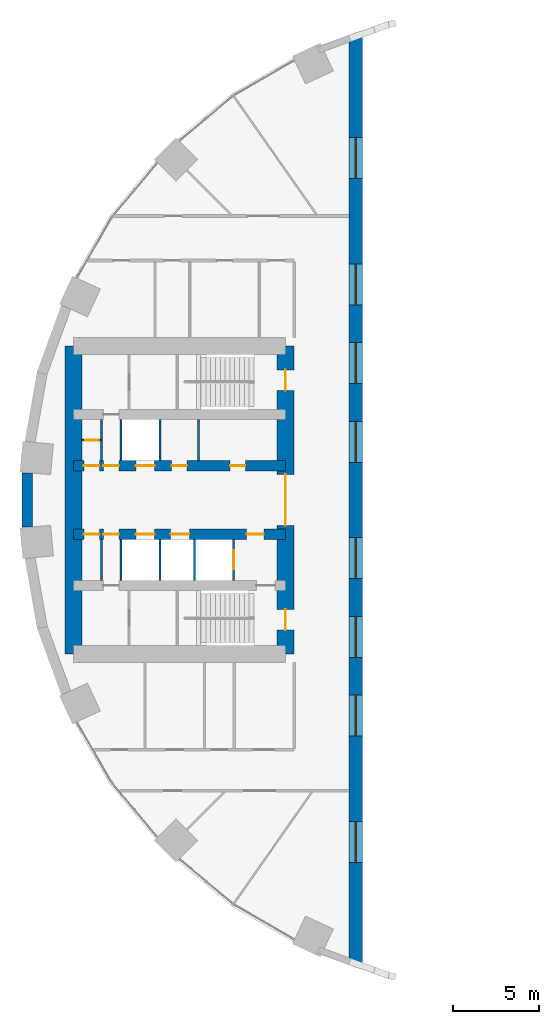
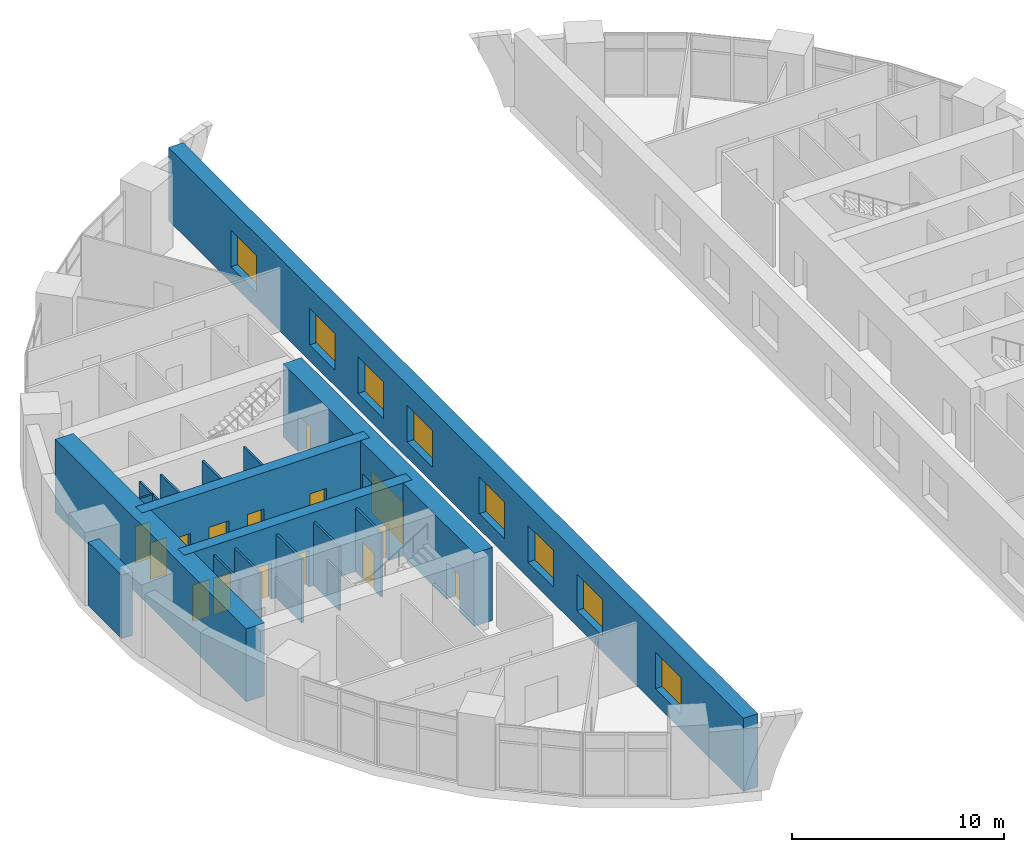
# One storey, part 8 of 13: 16 walls, 15 doors, 8 windows, 23 openings.
"""IFC4 building model written with IfcOpenShell, lengths in metres."""

from ifc_helpers import new_model, si_unit, direction, frame, frame_2d, origin, place, context, subcontext, project, spatial, rectangle, extrude, material, layer, layer_set, type_object, element, fill, save


model = new_model("IFC4")

# Units and contexts
model_context = context("Model", 3, precision=1e-05, world=origin(), true_north=direction((0.0, 1.0)))
body_context = subcontext(model_context, "Body", "Model", "MODEL_VIEW")
ifc_project = project(units=[si_unit("LENGTHUNIT", "METRE"), si_unit("AREAUNIT", "SQUARE_METRE"), si_unit("VOLUMEUNIT", "CUBIC_METRE"), si_unit("PLANEANGLEUNIT", "RADIAN"), si_unit("MASSUNIT", "GRAM", prefix="KILO")], contexts=[model_context])

# Site, building, storey
site_placement = place(None, origin())
site = spatial("IfcSite", under=ifc_project, at=site_placement, CompositionType="ELEMENT")
building_placement = place(site_placement, origin())
building = spatial("IfcBuilding", under=site, at=building_placement, Name="Saqina Gate Tower", CompositionType="ELEMENT")
storey_placement = place(building_placement, frame((0.0, 0.0, 9.199951171875)))
storey = spatial("IfcBuildingStorey", under=building, at=storey_placement, Name="L02", CompositionType="ELEMENT", Elevation=9.199951171875)

# Walls
ifc_material_1 = material(Name="Gypsum board on steel studs", Category="steel")
ifc_layer_1 = layer(ifc_material_1, 0.10009765625)
ifc_layer_set_1 = layer_set([ifc_layer_1], Name="CORE PARTITION")
wall_type_1 = type_object("IfcWallType", Name="CORE PARTITION", PredefinedType="PARTITIONING", material=ifc_layer_set_1)
for number, where, z_axis, x_axis, name in (
    (1, (-18.582763671875, 2.300048828125, 0.0), (0.0, 0.0, 1.0), (0.0, 1.0, 0.0), "L02-CP-W01"),
    (2, (-24.260009765625, 2.300048828125, 0.0), (0.0, 0.0, 1.0), (0.0, 1.0, 0.0), "L02-CP-W04"),
    (3, (-24.260009765625, -4.699951171875, 0.0), (0.0, 0.0, 1.0), (0.0, 1.0, 0.0), "L02-CP-W09"),
):
    element("IfcWall", number, at=place(storey_placement, frame(where, z_axis=z_axis, x_axis=x_axis)), inside=storey, type_object=wall_type_1, Name=name, PredefinedType="PARTITIONING", context=body_context, shape_type="SweptSolid", body=[
        extrude(rectangle(XDim=2.39990234375, YDim=0.10009765625, at=frame_2d((1.199951171875, 0.0))), origin(), (0.0, 0.0, 1.0), 3.650146484375),
    ])

# Wall, opening, door
wall_1_placement = place(storey_placement, frame((-24.260009765625, 3.5, 0.0), z_axis=(0.0, 0.0, 1.0), x_axis=(-1.0, 0.0, 0.0)))
wall_1 = element("IfcWall", 4, at=wall_1_placement, inside=storey, type_object=wall_type_1, Name="L02-CP-W10", PredefinedType="PARTITIONING", context=body_context, shape_type="SweptSolid", body=[
    extrude(rectangle(XDim=1.139892578125, YDim=0.10009765625, at=frame_2d((0.56982421875, 0.0))), origin(), (0.0, 0.0, 1.0), 3.650146484375),
])
opening_1_placement = place(wall_1_placement, frame((0.14990234375, 0.0, 0.0)))
opening_1 = element("IfcOpeningElement", 5, at=opening_1_placement, cuts=wall_1, Name="Opening L02-D113", PredefinedType="OPENING", context=body_context, shape_type="SweptSolid", body=[
    extrude(rectangle(XDim=0.800048828125, YDim=2.10009765625, at=frame_2d((0.39990234375, 1.050048828125))), frame((0.0, 0.06201171875, 0.0), z_axis=(0.0, -1.0, 0.0), x_axis=(1.0, 0.0, 0.0)), (0.0, 0.0, 1.0), 0.1240234375),
])
ifc_material_2 = material(Name="Steel-framed fire door leaf, EI 60", Category="steel")
door_type_1 = type_object("IfcDoorType", Name="SERVICE ROOM DOOR 800", OperationType="SINGLE_SWING_LEFT", PredefinedType="DOOR", material=ifc_material_2)
door_1_placement = place(opening_1_placement, frame((0.800048828125, 0.0, 0.0), z_axis=(0.0, 0.0, 1.0), x_axis=(-1.0, 0.0, 0.0)))
door_1 = element("IfcDoor", 6, at=door_1_placement, inside=storey, type_object=door_type_1, Name="L02-CD-W24", OperationType="SINGLE_SWING_LEFT", OverallHeight=2.10009765625, OverallWidth=0.800048828125, PredefinedType="DOOR", context=body_context, shape_type="SweptSolid", body=[
    extrude(rectangle(XDim=0.800048828125, YDim=2.10009765625, at=frame_2d((0.39990234375, 1.050048828125))), frame((0.0, 0.02490234375, 0.0), z_axis=(0.0, -1.0, 0.0), x_axis=(1.0, 0.0, 0.0)), (0.0, 0.0, 1.0), 0.050048828125),
])
fill(opening_1, door_1)

# Walls
ifc_material_3 = material(Name="Glazed ceramic tile (white)", Category="ceramic")
ifc_layer_2 = layer(ifc_material_3, 0.60009765625)
ifc_layer_set_2 = layer_set([ifc_layer_2], Name="FW-TILE-WH")
wall_type_2 = type_object("IfcWallType", Name="FW-TILE-WH", PredefinedType="SOLIDWALL", material=ifc_layer_set_2)
wall_2_placement = place(storey_placement, frame((-28.589599609375, 1.571533203125, 0.0), z_axis=(0.0, 0.0, 1.0), x_axis=(0.0, -1.0, 0.0)))
element("IfcWall", 7, at=wall_2_placement, inside=storey, type_object=wall_type_2, Name="Facade wall L02 facet 18", PredefinedType="SOLIDWALL", context=body_context, shape_type="SweptSolid", body=[
    extrude(rectangle(XDim=3.14306640625, YDim=0.60009765625, at=frame_2d((1.571533203125, 0.0))), origin(), (0.0, 0.0, 1.0), 3.650146484375),
])
ifc_material_4 = material(Name="Autoclaved aerated concrete block", Category="concrete")
ifc_layer_3 = layer(ifc_material_4, 0.1201171875)
ifc_layer_set_3 = layer_set([ifc_layer_3], Name="SHAFT PARTITION")
wall_type_3 = type_object("IfcWallType", Name="SHAFT PARTITION", PredefinedType="PARTITIONING", material=ifc_layer_set_3)
for number, where, z_axis, x_axis, name in (
    (8, (-20.840087890625, 2.300048828125, 0.0), (0.0, 0.0, 1.0), (0.0, 1.0, 0.0), "L02-CP-W02"),
    (9, (-23.1201171875, 2.300048828125, 0.0), (0.0, 0.0, 1.0), (0.0, 1.0, 0.0), "L02-CP-W03"),
):
    element("IfcWall", number, at=place(storey_placement, frame(where, z_axis=z_axis, x_axis=x_axis)), inside=storey, type_object=wall_type_3, Name=name, PredefinedType="PARTITIONING", context=body_context, shape_type="SweptSolid", body=[
        extrude(rectangle(XDim=2.39990234375, YDim=0.1201171875, at=frame_2d((1.199951171875, 0.0))), origin(), (0.0, 0.0, 1.0), 3.650146484375),
    ])

# Wall, opening, door
wall_3_placement = place(storey_placement, frame((-16.530029296875, -4.699951171875, 0.0), z_axis=(0.0, 0.0, 1.0), x_axis=(0.0, 1.0, 0.0)))
wall_3 = element("IfcWall", 10, at=wall_3_placement, inside=storey, type_object=wall_type_3, Name="L02-CP-W05", PredefinedType="PARTITIONING", context=body_context, shape_type="SweptSolid", body=[
    extrude(rectangle(XDim=2.39990234375, YDim=0.1201171875, at=frame_2d((1.199951171875, 0.0))), origin(), (0.0, 0.0, 1.0), 3.650146484375),
])
opening_2_placement = place(wall_3_placement, frame((0.64990234375, 0.0, 0.0)))
opening_2 = element("IfcOpeningElement", 11, at=opening_2_placement, cuts=wall_3, Name="Opening L02-LD6", PredefinedType="OPENING", context=body_context, shape_type="SweptSolid", body=[
    extrude(rectangle(XDim=1.10009765625, YDim=2.10009765625, at=frame_2d((0.550048828125, 1.050048828125))), frame((0.0, 0.072021484375, 0.0), z_axis=(0.0, -1.0, 0.0), x_axis=(1.0, 0.0, 0.0)), (0.0, 0.0, 1.0), 0.14404296875),
])
ifc_material_5 = material(Name="Stainless steel", Category="steel")
door_type_2 = type_object("IfcDoorType", Name="LANDING DOOR", OperationType="DOUBLE_DOOR_SLIDING", PredefinedType="DOOR", material=ifc_material_5)
door_2_placement = place(opening_2_placement, origin())
door_2 = element("IfcDoor", 12, at=door_2_placement, inside=storey, type_object=door_type_2, Name="LANDING DOOR FF2", OperationType="DOUBLE_DOOR_SLIDING", OverallHeight=2.10009765625, OverallWidth=1.10009765625, PredefinedType="DOOR", context=body_context, shape_type="SweptSolid", body=[
    extrude(rectangle(XDim=1.10009765625, YDim=2.10009765625, at=frame_2d((0.550048828125, 1.050048828125))), frame((0.0, 0.02490234375, 0.0), z_axis=(0.0, -1.0, 0.0), x_axis=(1.0, 0.0, 0.0)), (0.0, 0.0, 1.0), 0.050048828125),
])
fill(opening_2, door_2)

# Walls
for number, where, z_axis, x_axis, name in (
    (13, (-18.81005859375, -4.699951171875, 0.0), (0.0, 0.0, 1.0), (0.0, 1.0, 0.0), "L02-CP-W06"),
    (14, (-20.840087890625, -4.699951171875, 0.0), (0.0, 0.0, 1.0), (0.0, 1.0, 0.0), "L02-CP-W07"),
    (15, (-23.1201171875, -4.699951171875, 0.0), (0.0, 0.0, 1.0), (0.0, 1.0, 0.0), "L02-CP-W08"),
):
    element("IfcWall", number, at=place(storey_placement, frame(where, z_axis=z_axis, x_axis=x_axis)), inside=storey, type_object=wall_type_3, Name=name, PredefinedType="PARTITIONING", context=body_context, shape_type="SweptSolid", body=[
        extrude(rectangle(XDim=2.39990234375, YDim=0.1201171875, at=frame_2d((1.199951171875, 0.0))), origin(), (0.0, 0.0, 1.0), 3.650146484375),
    ])

# Wall, openings, doors
ifc_material_6 = material(Name="Concrete C70/85", Category="concrete")
ifc_layer_4 = layer(ifc_material_6, 0.60009765625)
ifc_layer_set_4 = layer_set([ifc_layer_4], Name="Concrete C70/85")
wall_type_4 = type_object("IfcWallType", Name="STR-CORE WALL-P-I", PredefinedType="SHEAR", material=ifc_layer_set_4)
wall_4_placement = place(storey_placement, frame((-13.5, 2.0, 0.0), z_axis=(0.0, 0.0, 1.0), x_axis=(-1.0, 0.0, 0.0)))
wall_4 = element("IfcWall", 16, at=wall_4_placement, inside=storey, type_object=wall_type_4, Name="CORE WALL L02 W-L1", PredefinedType="SHEAR", context=body_context, shape_type="SweptSolid", body=[
    extrude(rectangle(XDim=12.39990234375, YDim=0.60009765625, at=frame_2d((6.199951171875, 0.0))), origin(), (0.0, 0.0, 1.0), 4.199951171875),
])
opening_3_placement = place(wall_4_placement, frame((7.64990234375, 0.0, 0.0)))
opening_3 = element("IfcOpeningElement", 17, at=opening_3_placement, cuts=wall_4, Name="Opening L02-LD5", PredefinedType="OPENING", context=body_context, shape_type="SweptSolid", body=[
    extrude(rectangle(XDim=1.10009765625, YDim=2.10009765625, at=frame_2d((0.550048828125, 1.050048828125))), frame((0.0, 0.31201171875, 0.0), z_axis=(0.0, -1.0, 0.0), x_axis=(1.0, 0.0, 0.0)), (0.0, 0.0, 1.0), 0.6240234375),
])
opening_4_placement = place(wall_4_placement, frame((2.34130859375, 0.0, 0.0)))
opening_4 = element("IfcOpeningElement", 18, at=opening_4_placement, cuts=wall_4, Name="Opening L02-D106", PredefinedType="OPENING", context=body_context, shape_type="SweptSolid", body=[
    extrude(rectangle(XDim=0.89990234375, YDim=2.10009765625, at=frame_2d((0.449951171875, 1.050048828125))), frame((0.0, 0.31201171875, 0.0), z_axis=(0.0, -1.0, 0.0), x_axis=(1.0, 0.0, 0.0)), (0.0, 0.0, 1.0), 0.6240234375),
])
opening_5_placement = place(wall_4_placement, frame((5.761474609375, 0.0, 0.0)))
opening_5 = element("IfcOpeningElement", 19, at=opening_5_placement, cuts=wall_4, Name="Opening L02-D107", PredefinedType="OPENING", context=body_context, shape_type="SweptSolid", body=[
    extrude(rectangle(XDim=0.89990234375, YDim=2.10009765625, at=frame_2d((0.449951171875, 1.050048828125))), frame((0.0, 0.31201171875, 0.0), z_axis=(0.0, -1.0, 0.0), x_axis=(1.0, 0.0, 0.0)), (0.0, 0.0, 1.0), 0.6240234375),
])
opening_6_placement = place(wall_4_placement, frame((9.739990234375, 0.0, 0.0)))
opening_6 = element("IfcOpeningElement", 20, at=opening_6_placement, cuts=wall_4, Name="Opening L02-D108", PredefinedType="OPENING", context=body_context, shape_type="SweptSolid", body=[
    extrude(rectangle(XDim=0.89990234375, YDim=2.10009765625, at=frame_2d((0.449951171875, 1.050048828125))), frame((0.0, 0.31201171875, 0.0), z_axis=(0.0, -1.0, 0.0), x_axis=(1.0, 0.0, 0.0)), (0.0, 0.0, 1.0), 0.6240234375),
])
opening_7_placement = place(wall_4_placement, frame((10.8798828125, 0.0, 0.0)))
opening_7 = element("IfcOpeningElement", 21, at=opening_7_placement, cuts=wall_4, Name="Opening L02-D109", PredefinedType="OPENING", context=body_context, shape_type="SweptSolid", body=[
    extrude(rectangle(XDim=0.89990234375, YDim=2.10009765625, at=frame_2d((0.449951171875, 1.050048828125))), frame((0.0, 0.31201171875, 0.0), z_axis=(0.0, -1.0, 0.0), x_axis=(1.0, 0.0, 0.0)), (0.0, 0.0, 1.0), 0.6240234375),
])
door_3_placement = place(opening_3_placement, origin())
door_3 = element("IfcDoor", 22, at=door_3_placement, inside=storey, type_object=door_type_2, Name="LANDING DOOR LR4", OperationType="DOUBLE_DOOR_SLIDING", OverallHeight=2.10009765625, OverallWidth=1.10009765625, PredefinedType="DOOR", context=body_context, shape_type="SweptSolid", body=[
    extrude(rectangle(XDim=1.10009765625, YDim=2.10009765625, at=frame_2d((0.550048828125, 1.050048828125))), frame((0.0, 0.02490234375, 0.0), z_axis=(0.0, -1.0, 0.0), x_axis=(1.0, 0.0, 0.0)), (0.0, 0.0, 1.0), 0.050048828125),
])
fill(opening_3, door_3)
ifc_material_7 = material(Name="Steel-framed fire door leaf, EI 60", Category="steel")
door_type_3 = type_object("IfcDoorType", Name="SERVICE ROOM DOOR 900", OperationType="SINGLE_SWING_LEFT", PredefinedType="DOOR", material=ifc_material_7)
door_4_placement = place(opening_4_placement, frame((0.89990234375, 0.0, 0.0), z_axis=(0.0, 0.0, 1.0), x_axis=(-1.0, 0.0, 0.0)))
door_4 = element("IfcDoor", 23, at=door_4_placement, inside=storey, type_object=door_type_3, Name="L02-CD-W17", OperationType="SINGLE_SWING_RIGHT", OverallHeight=2.10009765625, OverallWidth=0.89990234375, PredefinedType="DOOR", context=body_context, shape_type="SweptSolid", body=[
    extrude(rectangle(XDim=0.89990234375, YDim=2.10009765625, at=frame_2d((0.449951171875, 1.050048828125))), frame((0.0, 0.02490234375, 0.0), z_axis=(0.0, -1.0, 0.0), x_axis=(1.0, 0.0, 0.0)), (0.0, 0.0, 1.0), 0.050048828125),
])
fill(opening_4, door_4)
door_5_placement = place(opening_5_placement, frame((0.89990234375, 0.0, 0.0), z_axis=(0.0, 0.0, 1.0), x_axis=(-1.0, 0.0, 0.0)))
door_5 = element("IfcDoor", 24, at=door_5_placement, inside=storey, type_object=door_type_3, Name="L02-CD-W18", OperationType="SINGLE_SWING_LEFT", OverallHeight=2.10009765625, OverallWidth=0.89990234375, PredefinedType="DOOR", context=body_context, shape_type="SweptSolid", body=[
    extrude(rectangle(XDim=0.89990234375, YDim=2.10009765625, at=frame_2d((0.449951171875, 1.050048828125))), frame((0.0, 0.02490234375, 0.0), z_axis=(0.0, -1.0, 0.0), x_axis=(1.0, 0.0, 0.0)), (0.0, 0.0, 1.0), 0.050048828125),
])
fill(opening_5, door_5)
door_6_placement = place(opening_6_placement, frame((0.89990234375, 0.0, 0.0), z_axis=(0.0, 0.0, 1.0), x_axis=(-1.0, 0.0, 0.0)))
door_6 = element("IfcDoor", 25, at=door_6_placement, inside=storey, type_object=door_type_3, Name="L02-CD-W19", OperationType="SINGLE_SWING_RIGHT", OverallHeight=2.10009765625, OverallWidth=0.89990234375, PredefinedType="DOOR", context=body_context, shape_type="SweptSolid", body=[
    extrude(rectangle(XDim=0.89990234375, YDim=2.10009765625, at=frame_2d((0.449951171875, 1.050048828125))), frame((0.0, 0.02490234375, 0.0), z_axis=(0.0, -1.0, 0.0), x_axis=(1.0, 0.0, 0.0)), (0.0, 0.0, 1.0), 0.050048828125),
])
fill(opening_6, door_6)
door_7_placement = place(opening_7_placement, frame((0.89990234375, 0.0, 0.0), z_axis=(0.0, 0.0, 1.0), x_axis=(-1.0, 0.0, 0.0)))
door_7 = element("IfcDoor", 26, at=door_7_placement, inside=storey, type_object=door_type_3, Name="L02-CD-W20", OperationType="SINGLE_SWING_LEFT", OverallHeight=2.10009765625, OverallWidth=0.89990234375, PredefinedType="DOOR", context=body_context, shape_type="SweptSolid", body=[
    extrude(rectangle(XDim=0.89990234375, YDim=2.10009765625, at=frame_2d((0.449951171875, 1.050048828125))), frame((0.0, 0.02490234375, 0.0), z_axis=(0.0, -1.0, 0.0), x_axis=(1.0, 0.0, 0.0)), (0.0, 0.0, 1.0), 0.050048828125),
])
fill(opening_7, door_7)

wall_5_placement = place(storey_placement, frame((-13.5, -2.0, 0.0), z_axis=(0.0, 0.0, 1.0), x_axis=(-1.0, 0.0, 0.0)))
wall_5 = element("IfcWall", 27, at=wall_5_placement, inside=storey, type_object=wall_type_4, Name="CORE WALL L02 W-L2", PredefinedType="SHEAR", context=body_context, shape_type="SweptSolid", body=[
    extrude(rectangle(XDim=12.39990234375, YDim=0.60009765625, at=frame_2d((6.199951171875, 0.0))), origin(), (0.0, 0.0, 1.0), 4.199951171875),
])
opening_8_placement = place(wall_5_placement, frame((5.6201171875, 0.0, 0.0)))
opening_8 = element("IfcOpeningElement", 28, at=opening_8_placement, cuts=wall_5, Name="Opening L02-LD7", PredefinedType="OPENING", context=body_context, shape_type="SweptSolid", body=[
    extrude(rectangle(XDim=1.10009765625, YDim=2.10009765625, at=frame_2d((0.550048828125, 1.050048828125))), frame((0.0, 0.31201171875, 0.0), z_axis=(0.0, -1.0, 0.0), x_axis=(1.0, 0.0, 0.0)), (0.0, 0.0, 1.0), 0.6240234375),
])
opening_9_placement = place(wall_5_placement, frame((7.64990234375, 0.0, 0.0)))
opening_9 = element("IfcOpeningElement", 29, at=opening_9_placement, cuts=wall_5, Name="Opening L02-LD8", PredefinedType="OPENING", context=body_context, shape_type="SweptSolid", body=[
    extrude(rectangle(XDim=1.10009765625, YDim=2.10009765625, at=frame_2d((0.550048828125, 1.050048828125))), frame((0.0, 0.31201171875, 0.0), z_axis=(0.0, -1.0, 0.0), x_axis=(1.0, 0.0, 0.0)), (0.0, 0.0, 1.0), 0.6240234375),
])
opening_10_placement = place(wall_5_placement, frame((1.264892578125, 0.0, 0.0)))
opening_10 = element("IfcOpeningElement", 30, at=opening_10_placement, cuts=wall_5, Name="Opening L02-D110", PredefinedType="OPENING", context=body_context, shape_type="SweptSolid", body=[
    extrude(rectangle(XDim=1.0, YDim=2.10009765625, at=frame_2d((0.5, 1.050048828125))), frame((0.0, 0.31201171875, 0.0), z_axis=(0.0, -1.0, 0.0), x_axis=(1.0, 0.0, 0.0)), (0.0, 0.0, 1.0), 0.6240234375),
])
opening_11_placement = place(wall_5_placement, frame((9.739990234375, 0.0, 0.0)))
opening_11 = element("IfcOpeningElement", 31, at=opening_11_placement, cuts=wall_5, Name="Opening L02-D111", PredefinedType="OPENING", context=body_context, shape_type="SweptSolid", body=[
    extrude(rectangle(XDim=0.89990234375, YDim=2.10009765625, at=frame_2d((0.449951171875, 1.050048828125))), frame((0.0, 0.31201171875, 0.0), z_axis=(0.0, -1.0, 0.0), x_axis=(1.0, 0.0, 0.0)), (0.0, 0.0, 1.0), 0.6240234375),
])
opening_12_placement = place(wall_5_placement, frame((10.8798828125, 0.0, 0.0)))
opening_12 = element("IfcOpeningElement", 32, at=opening_12_placement, cuts=wall_5, Name="Opening L02-D112", PredefinedType="OPENING", context=body_context, shape_type="SweptSolid", body=[
    extrude(rectangle(XDim=0.89990234375, YDim=2.10009765625, at=frame_2d((0.449951171875, 1.050048828125))), frame((0.0, 0.31201171875, 0.0), z_axis=(0.0, -1.0, 0.0), x_axis=(1.0, 0.0, 0.0)), (0.0, 0.0, 1.0), 0.6240234375),
])
ifc_material_8 = material(Name="Steel", Category="steel")
door_type_4 = type_object("IfcDoorType", Name="FIRE LOBBY DOOR EI 60", OperationType="SINGLE_SWING_LEFT", PredefinedType="DOOR", material=ifc_material_8)
door_8_placement = place(opening_10_placement, frame((1.0, 0.0, 0.0), z_axis=(0.0, 0.0, 1.0), x_axis=(-1.0, 0.0, 0.0)))
door_8 = element("IfcDoor", 33, at=door_8_placement, inside=storey, type_object=door_type_4, Name="L02-CD-W21", OperationType="SINGLE_SWING_RIGHT", OverallHeight=2.10009765625, OverallWidth=1.0, PredefinedType="DOOR", context=body_context, shape_type="SweptSolid", body=[
    extrude(rectangle(XDim=1.0, YDim=2.10009765625, at=frame_2d((0.5, 1.050048828125))), frame((0.0, 0.02490234375, 0.0), z_axis=(0.0, -1.0, 0.0), x_axis=(1.0, 0.0, 0.0)), (0.0, 0.0, 1.0), 0.050048828125),
])
fill(opening_10, door_8)
door_9_placement = place(opening_8_placement, origin())
door_9 = element("IfcDoor", 34, at=door_9_placement, inside=storey, type_object=door_type_2, Name="LANDING DOOR LR6", OperationType="DOUBLE_DOOR_SLIDING", OverallHeight=2.10009765625, OverallWidth=1.10009765625, PredefinedType="DOOR", context=body_context, shape_type="SweptSolid", body=[
    extrude(rectangle(XDim=1.10009765625, YDim=2.10009765625, at=frame_2d((0.550048828125, 1.050048828125))), frame((0.0, 0.02490234375, 0.0), z_axis=(0.0, -1.0, 0.0), x_axis=(1.0, 0.0, 0.0)), (0.0, 0.0, 1.0), 0.050048828125),
])
fill(opening_8, door_9)
door_10_placement = place(opening_9_placement, origin())
door_10 = element("IfcDoor", 35, at=door_10_placement, inside=storey, type_object=door_type_2, Name="LANDING DOOR LR5", OperationType="DOUBLE_DOOR_SLIDING", OverallHeight=2.10009765625, OverallWidth=1.10009765625, PredefinedType="DOOR", context=body_context, shape_type="SweptSolid", body=[
    extrude(rectangle(XDim=1.10009765625, YDim=2.10009765625, at=frame_2d((0.550048828125, 1.050048828125))), frame((0.0, 0.02490234375, 0.0), z_axis=(0.0, -1.0, 0.0), x_axis=(1.0, 0.0, 0.0)), (0.0, 0.0, 1.0), 0.050048828125),
])
fill(opening_9, door_10)
door_11_placement = place(opening_11_placement, origin())
door_11 = element("IfcDoor", 36, at=door_11_placement, inside=storey, type_object=door_type_3, Name="L02-CD-W22", OperationType="SINGLE_SWING_LEFT", OverallHeight=2.10009765625, OverallWidth=0.89990234375, PredefinedType="DOOR", context=body_context, shape_type="SweptSolid", body=[
    extrude(rectangle(XDim=0.89990234375, YDim=2.10009765625, at=frame_2d((0.449951171875, 1.050048828125))), frame((0.0, 0.02490234375, 0.0), z_axis=(0.0, -1.0, 0.0), x_axis=(1.0, 0.0, 0.0)), (0.0, 0.0, 1.0), 0.050048828125),
])
fill(opening_11, door_11)
door_12_placement = place(opening_12_placement, origin())
door_12 = element("IfcDoor", 37, at=door_12_placement, inside=storey, type_object=door_type_3, Name="L02-CD-W23", OperationType="SINGLE_SWING_RIGHT", OverallHeight=2.10009765625, OverallWidth=0.89990234375, PredefinedType="DOOR", context=body_context, shape_type="SweptSolid", body=[
    extrude(rectangle(XDim=0.89990234375, YDim=2.10009765625, at=frame_2d((0.449951171875, 1.050048828125))), frame((0.0, 0.02490234375, 0.0), z_axis=(0.0, -1.0, 0.0), x_axis=(1.0, 0.0, 0.0)), (0.0, 0.0, 1.0), 0.050048828125),
])
fill(opening_12, door_12)

ifc_material_9 = material(Name="Concrete C70/85", Category="concrete")
ifc_layer_5 = layer(ifc_material_9, 1.0)
ifc_layer_set_5 = layer_set([ifc_layer_5], Name="Concrete C70/85")
wall_type_5 = type_object("IfcWallType", Name="STR-CORE WALL-P-O", PredefinedType="SHEAR", material=ifc_layer_set_5)
wall_6_placement = place(storey_placement, frame((-13.5, -9.0, 0.0), z_axis=(0.0, 0.0, 1.0), x_axis=(0.0, 1.0, 0.0)))
wall_6 = element("IfcWall", 38, at=wall_6_placement, inside=storey, type_object=wall_type_5, Name="CORE WALL L02 W-W1", PredefinedType="SHEAR", context=body_context, shape_type="SweptSolid", body=[
    extrude(rectangle(XDim=18.0, YDim=1.0, at=frame_2d((9.0, 0.0))), origin(), (0.0, 0.0, 1.0), 4.199951171875),
])
opening_13_placement = place(wall_6_placement, frame((15.39990234375, 0.0, 0.0)))
opening_13 = element("IfcOpeningElement", 39, at=opening_13_placement, cuts=wall_6, Name="Opening L02-D119", PredefinedType="OPENING", context=body_context, shape_type="SweptSolid", body=[
    extrude(rectangle(XDim=1.199951171875, YDim=2.10009765625, at=frame_2d((0.60009765625, 1.050048828125))), frame((0.0, 0.511962890625, 0.0), z_axis=(0.0, -1.0, 0.0), x_axis=(1.0, 0.0, 0.0)), (0.0, 0.0, 1.0), 1.02392578125),
])
opening_14_placement = place(wall_6_placement, frame((1.39990234375, 0.0, 0.0)))
opening_14 = element("IfcOpeningElement", 40, at=opening_14_placement, cuts=wall_6, Name="Opening L02-D120", PredefinedType="OPENING", context=body_context, shape_type="SweptSolid", body=[
    extrude(rectangle(XDim=1.199951171875, YDim=2.10009765625, at=frame_2d((0.60009765625, 1.050048828125))), frame((0.0, 0.511962890625, 0.0), z_axis=(0.0, -1.0, 0.0), x_axis=(1.0, 0.0, 0.0)), (0.0, 0.0, 1.0), 1.02392578125),
])
opening_15_placement = place(wall_6_placement, frame((7.5, 0.0, 0.0)))
opening_15 = element("IfcOpeningElement", 41, at=opening_15_placement, cuts=wall_6, Name="Opening L02-D121", PredefinedType="OPENING", context=body_context, shape_type="SweptSolid", body=[
    extrude(rectangle(XDim=3.0, YDim=2.39990234375, at=frame_2d((1.5, 1.199951171875))), frame((0.0, 0.511962890625, 0.0), z_axis=(0.0, -1.0, 0.0), x_axis=(1.0, 0.0, 0.0)), (0.0, 0.0, 1.0), 1.02392578125),
])
ifc_material_10 = material(Name="Steel", Category="steel")
door_type_5 = type_object("IfcDoorType", Name="FIRE DOOR EI 60", OperationType="SINGLE_SWING_LEFT", PredefinedType="DOOR", material=ifc_material_10)
door_13_placement = place(opening_13_placement, origin())
door_13 = element("IfcDoor", 42, at=door_13_placement, inside=storey, type_object=door_type_5, Name="L02-CD-W30", OperationType="SINGLE_SWING_RIGHT", OverallHeight=2.10009765625, OverallWidth=1.199951171875, PredefinedType="DOOR", context=body_context, shape_type="SweptSolid", body=[
    extrude(rectangle(XDim=1.199951171875, YDim=2.10009765625, at=frame_2d((0.60009765625, 1.050048828125))), frame((0.0, 0.02490234375, 0.0), z_axis=(0.0, -1.0, 0.0), x_axis=(1.0, 0.0, 0.0)), (0.0, 0.0, 1.0), 0.050048828125),
])
fill(opening_13, door_13)
door_14_placement = place(opening_14_placement, origin())
door_14 = element("IfcDoor", 43, at=door_14_placement, inside=storey, type_object=door_type_5, Name="L02-CD-W31", OperationType="SINGLE_SWING_LEFT", OverallHeight=2.10009765625, OverallWidth=1.199951171875, PredefinedType="DOOR", context=body_context, shape_type="SweptSolid", body=[
    extrude(rectangle(XDim=1.199951171875, YDim=2.10009765625, at=frame_2d((0.60009765625, 1.050048828125))), frame((0.0, 0.02490234375, 0.0), z_axis=(0.0, -1.0, 0.0), x_axis=(1.0, 0.0, 0.0)), (0.0, 0.0, 1.0), 0.050048828125),
])
fill(opening_14, door_14)
ifc_material_11 = material(Name="Steel and fire-resisting glass", Category="steel")
door_type_6 = type_object("IfcDoorType", Name="LOBBY SCREEN DOOR", OperationType="DOUBLE_DOOR_SLIDING", PredefinedType="DOOR", material=ifc_material_11)
door_15_placement = place(opening_15_placement, origin())
door_15 = element("IfcDoor", 44, at=door_15_placement, inside=storey, type_object=door_type_6, Name="L02-CD-W32", OperationType="DOUBLE_DOOR_SLIDING", OverallHeight=2.39990234375, OverallWidth=3.0, PredefinedType="DOOR", context=body_context, shape_type="SweptSolid", body=[
    extrude(rectangle(XDim=3.0, YDim=2.39990234375, at=frame_2d((1.5, 1.199951171875))), frame((0.0, 0.02490234375, 0.0), z_axis=(0.0, -1.0, 0.0), x_axis=(1.0, 0.0, 0.0)), (0.0, 0.0, 1.0), 0.050048828125),
])
fill(opening_15, door_15)

# Wall
wall_7_placement = place(storey_placement, frame((-25.89990234375, -9.0, 0.0), z_axis=(0.0, 0.0, 1.0), x_axis=(0.0, 1.0, 0.0)))
element("IfcWall", 45, at=wall_7_placement, inside=storey, type_object=wall_type_5, Name="CORE WALL L02 W-W2", PredefinedType="SHEAR", context=body_context, shape_type="SweptSolid", body=[
    extrude(rectangle(XDim=18.0, YDim=1.0, at=frame_2d((9.0, 0.0))), origin(), (0.0, 0.0, 1.0), 4.199951171875),
])

# Wall, openings, windows
ifc_material_12 = material(Name="Concrete C70/85", Category="concrete")
ifc_layer_6 = layer(ifc_material_12, 0.800048828125)
ifc_layer_set_6 = layer_set([ifc_layer_6], Name="Concrete C70/85")
wall_type_6 = type_object("IfcWallType", Name="STR-PIER-PASSAGE", PredefinedType="SHEAR", material=ifc_layer_set_6)
wall_8_placement = place(storey_placement, frame((-9.39990234375, -27.076904296875, 0.0), z_axis=(0.0, 0.0, 1.0), x_axis=(0.0, 1.0, 0.0)))
wall_8 = element("IfcWall", 46, at=wall_8_placement, inside=storey, type_object=wall_type_6, Name="L02-FLKW", PredefinedType="SHEAR", context=body_context, shape_type="SweptSolid", body=[
    extrude(rectangle(XDim=54.15380859375, YDim=0.800048828125, at=frame_2d((27.076904296875, 0.0))), origin(), (0.0, 0.0, 1.0), 4.199951171875),
])
opening_16_placement = place(wall_8_placement, frame((13.27685546875, 0.0, 0.89990234375)))
opening_16 = element("IfcOpeningElement", 47, at=opening_16_placement, cuts=wall_8, Name="Opening L02-W58", PredefinedType="OPENING", context=body_context, shape_type="SweptSolid", body=[
    extrude(rectangle(XDim=2.39990234375, YDim=2.10009765625, at=frame_2d((1.199951171875, 1.050048828125))), frame((0.0, 0.412109375, 0.0), z_axis=(0.0, -1.0, 0.0), x_axis=(1.0, 0.0, 0.0)), (0.0, 0.0, 1.0), 0.823974609375),
])
opening_17_placement = place(wall_8_placement, frame((17.876708984375, 0.0, 0.89990234375)))
opening_17 = element("IfcOpeningElement", 48, at=opening_17_placement, cuts=wall_8, Name="Opening L02-W59", PredefinedType="OPENING", context=body_context, shape_type="SweptSolid", body=[
    extrude(rectangle(XDim=2.39990234375, YDim=2.10009765625, at=frame_2d((1.199951171875, 1.050048828125))), frame((0.0, 0.412109375, 0.0), z_axis=(0.0, -1.0, 0.0), x_axis=(1.0, 0.0, 0.0)), (0.0, 0.0, 1.0), 0.823974609375),
])
opening_18_placement = place(wall_8_placement, frame((22.476806640625, 0.0, 0.89990234375)))
opening_18 = element("IfcOpeningElement", 49, at=opening_18_placement, cuts=wall_8, Name="Opening L02-W60", PredefinedType="OPENING", context=body_context, shape_type="SweptSolid", body=[
    extrude(rectangle(XDim=2.39990234375, YDim=2.10009765625, at=frame_2d((1.199951171875, 1.050048828125))), frame((0.0, 0.412109375, 0.0), z_axis=(0.0, -1.0, 0.0), x_axis=(1.0, 0.0, 0.0)), (0.0, 0.0, 1.0), 0.823974609375),
])
opening_19_placement = place(wall_8_placement, frame((29.27685546875, 0.0, 0.89990234375)))
opening_19 = element("IfcOpeningElement", 50, at=opening_19_placement, cuts=wall_8, Name="Opening L02-W61", PredefinedType="OPENING", context=body_context, shape_type="SweptSolid", body=[
    extrude(rectangle(XDim=2.39990234375, YDim=2.10009765625, at=frame_2d((1.199951171875, 1.050048828125))), frame((0.0, 0.412109375, 0.0), z_axis=(0.0, -1.0, 0.0), x_axis=(1.0, 0.0, 0.0)), (0.0, 0.0, 1.0), 0.823974609375),
])
opening_20_placement = place(wall_8_placement, frame((33.876708984375, 0.0, 0.89990234375)))
opening_20 = element("IfcOpeningElement", 51, at=opening_20_placement, cuts=wall_8, Name="Opening L02-W62", PredefinedType="OPENING", context=body_context, shape_type="SweptSolid", body=[
    extrude(rectangle(XDim=2.39990234375, YDim=2.10009765625, at=frame_2d((1.199951171875, 1.050048828125))), frame((0.0, 0.412109375, 0.0), z_axis=(0.0, -1.0, 0.0), x_axis=(1.0, 0.0, 0.0)), (0.0, 0.0, 1.0), 0.823974609375),
])
opening_21_placement = place(wall_8_placement, frame((38.476806640625, 0.0, 0.89990234375)))
opening_21 = element("IfcOpeningElement", 52, at=opening_21_placement, cuts=wall_8, Name="Opening L02-W63", PredefinedType="OPENING", context=body_context, shape_type="SweptSolid", body=[
    extrude(rectangle(XDim=2.39990234375, YDim=2.10009765625, at=frame_2d((1.199951171875, 1.050048828125))), frame((0.0, 0.412109375, 0.0), z_axis=(0.0, -1.0, 0.0), x_axis=(1.0, 0.0, 0.0)), (0.0, 0.0, 1.0), 0.823974609375),
])
opening_22_placement = place(wall_8_placement, frame((5.876708984375, 0.0, 0.89990234375)))
opening_22 = element("IfcOpeningElement", 53, at=opening_22_placement, cuts=wall_8, Name="Opening L02-W64", PredefinedType="OPENING", context=body_context, shape_type="SweptSolid", body=[
    extrude(rectangle(XDim=2.39990234375, YDim=2.10009765625, at=frame_2d((1.199951171875, 1.050048828125))), frame((0.0, 0.412109375, 0.0), z_axis=(0.0, -1.0, 0.0), x_axis=(1.0, 0.0, 0.0)), (0.0, 0.0, 1.0), 0.823974609375),
])
opening_23_placement = place(wall_8_placement, frame((45.876708984375, 0.0, 0.89990234375)))
opening_23 = element("IfcOpeningElement", 54, at=opening_23_placement, cuts=wall_8, Name="Opening L02-W65", PredefinedType="OPENING", context=body_context, shape_type="SweptSolid", body=[
    extrude(rectangle(XDim=2.39990234375, YDim=2.10009765625, at=frame_2d((1.199951171875, 1.050048828125))), frame((0.0, 0.412109375, 0.0), z_axis=(0.0, -1.0, 0.0), x_axis=(1.0, 0.0, 0.0)), (0.0, 0.0, 1.0), 0.823974609375),
])
ifc_material_13 = material(Name="Double glazed unit in aluminium frame", Category="aluminium")
window_type = type_object("IfcWindowType", Name="AMENITY WINDOW 2400", PartitioningType="SINGLE_PANEL", PredefinedType="WINDOW", material=ifc_material_13)
window_1_placement = place(opening_16_placement, origin())
window_1 = element("IfcWindow", 55, at=window_1_placement, inside=storey, type_object=window_type, Name="Amenity window", OverallHeight=2.10009765625, OverallWidth=2.39990234375, PartitioningType="SINGLE_PANEL", PredefinedType="WINDOW", context=body_context, shape_type="SweptSolid", body=[
    extrude(rectangle(XDim=2.39990234375, YDim=2.10009765625, at=frame_2d((1.199951171875, 1.050048828125))), frame((0.0, 0.030029296875, 0.0), z_axis=(0.0, -1.0, 0.0), x_axis=(1.0, 0.0, 0.0)), (0.0, 0.0, 1.0), 0.06005859375),
])
fill(opening_16, window_1)
window_2_placement = place(opening_17_placement, origin())
window_2 = element("IfcWindow", 56, at=window_2_placement, inside=storey, type_object=window_type, Name="Amenity window", OverallHeight=2.10009765625, OverallWidth=2.39990234375, PartitioningType="SINGLE_PANEL", PredefinedType="WINDOW", context=body_context, shape_type="SweptSolid", body=[
    extrude(rectangle(XDim=2.39990234375, YDim=2.10009765625, at=frame_2d((1.199951171875, 1.050048828125))), frame((0.0, 0.030029296875, 0.0), z_axis=(0.0, -1.0, 0.0), x_axis=(1.0, 0.0, 0.0)), (0.0, 0.0, 1.0), 0.06005859375),
])
fill(opening_17, window_2)
window_3_placement = place(opening_18_placement, origin())
window_3 = element("IfcWindow", 57, at=window_3_placement, inside=storey, type_object=window_type, Name="Amenity window", OverallHeight=2.10009765625, OverallWidth=2.39990234375, PartitioningType="SINGLE_PANEL", PredefinedType="WINDOW", context=body_context, shape_type="SweptSolid", body=[
    extrude(rectangle(XDim=2.39990234375, YDim=2.10009765625, at=frame_2d((1.199951171875, 1.050048828125))), frame((0.0, 0.030029296875, 0.0), z_axis=(0.0, -1.0, 0.0), x_axis=(1.0, 0.0, 0.0)), (0.0, 0.0, 1.0), 0.06005859375),
])
fill(opening_18, window_3)
window_4_placement = place(opening_19_placement, origin())
window_4 = element("IfcWindow", 58, at=window_4_placement, inside=storey, type_object=window_type, Name="Amenity window", OverallHeight=2.10009765625, OverallWidth=2.39990234375, PartitioningType="SINGLE_PANEL", PredefinedType="WINDOW", context=body_context, shape_type="SweptSolid", body=[
    extrude(rectangle(XDim=2.39990234375, YDim=2.10009765625, at=frame_2d((1.199951171875, 1.050048828125))), frame((0.0, 0.030029296875, 0.0), z_axis=(0.0, -1.0, 0.0), x_axis=(1.0, 0.0, 0.0)), (0.0, 0.0, 1.0), 0.06005859375),
])
fill(opening_19, window_4)
window_5_placement = place(opening_20_placement, origin())
window_5 = element("IfcWindow", 59, at=window_5_placement, inside=storey, type_object=window_type, Name="Amenity window", OverallHeight=2.10009765625, OverallWidth=2.39990234375, PartitioningType="SINGLE_PANEL", PredefinedType="WINDOW", context=body_context, shape_type="SweptSolid", body=[
    extrude(rectangle(XDim=2.39990234375, YDim=2.10009765625, at=frame_2d((1.199951171875, 1.050048828125))), frame((0.0, 0.030029296875, 0.0), z_axis=(0.0, -1.0, 0.0), x_axis=(1.0, 0.0, 0.0)), (0.0, 0.0, 1.0), 0.06005859375),
])
fill(opening_20, window_5)
window_6_placement = place(opening_21_placement, origin())
window_6 = element("IfcWindow", 60, at=window_6_placement, inside=storey, type_object=window_type, Name="Amenity window", OverallHeight=2.10009765625, OverallWidth=2.39990234375, PartitioningType="SINGLE_PANEL", PredefinedType="WINDOW", context=body_context, shape_type="SweptSolid", body=[
    extrude(rectangle(XDim=2.39990234375, YDim=2.10009765625, at=frame_2d((1.199951171875, 1.050048828125))), frame((0.0, 0.030029296875, 0.0), z_axis=(0.0, -1.0, 0.0), x_axis=(1.0, 0.0, 0.0)), (0.0, 0.0, 1.0), 0.06005859375),
])
fill(opening_21, window_6)
window_7_placement = place(opening_22_placement, origin())
window_7 = element("IfcWindow", 61, at=window_7_placement, inside=storey, type_object=window_type, Name="Amenity window", OverallHeight=2.10009765625, OverallWidth=2.39990234375, PartitioningType="SINGLE_PANEL", PredefinedType="WINDOW", context=body_context, shape_type="SweptSolid", body=[
    extrude(rectangle(XDim=2.39990234375, YDim=2.10009765625, at=frame_2d((1.199951171875, 1.050048828125))), frame((0.0, 0.030029296875, 0.0), z_axis=(0.0, -1.0, 0.0), x_axis=(1.0, 0.0, 0.0)), (0.0, 0.0, 1.0), 0.06005859375),
])
fill(opening_22, window_7)
window_8_placement = place(opening_23_placement, origin())
window_8 = element("IfcWindow", 62, at=window_8_placement, inside=storey, type_object=window_type, Name="Amenity window", OverallHeight=2.10009765625, OverallWidth=2.39990234375, PartitioningType="SINGLE_PANEL", PredefinedType="WINDOW", context=body_context, shape_type="SweptSolid", body=[
    extrude(rectangle(XDim=2.39990234375, YDim=2.10009765625, at=frame_2d((1.199951171875, 1.050048828125))), frame((0.0, 0.030029296875, 0.0), z_axis=(0.0, -1.0, 0.0), x_axis=(1.0, 0.0, 0.0)), (0.0, 0.0, 1.0), 0.06005859375),
])
fill(opening_23, window_8)

save(model, "model.ifc")
